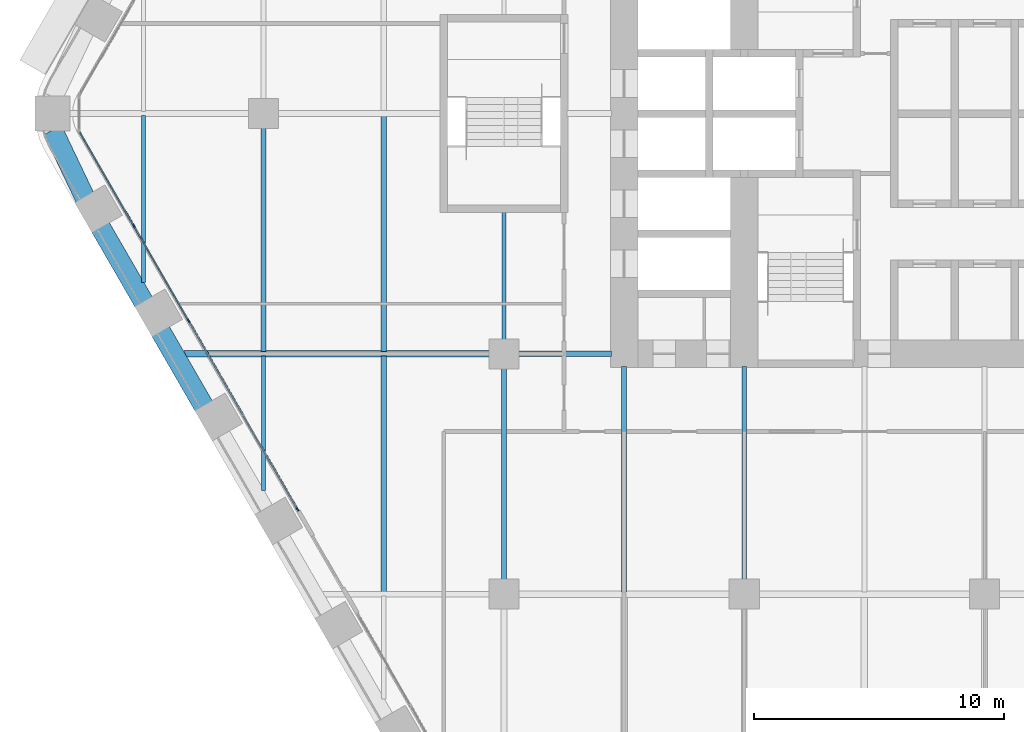
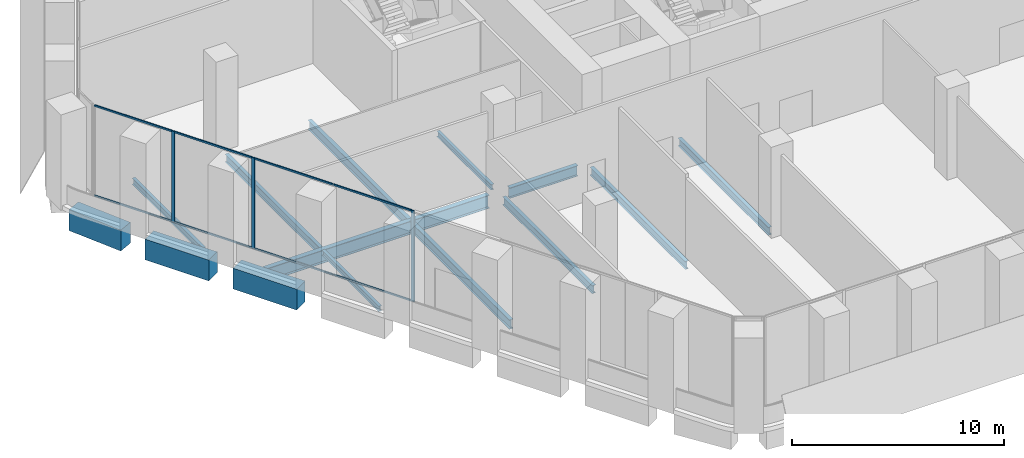
# One storey, part 3 of 27: 14 beams, 11 members, 1 element without a shape of its own.
"""IFC4 building model written with IfcOpenShell, lengths in metres."""

from ifc_helpers import new_model, si_unit, direction, frame, origin, origin_2d, place, context, subcontext, project, spatial, rectangle, i_section, extrude, material, material_profile, profile_set, type_object, element, aggregate, save


model = new_model("IFC4")

# Units and contexts
model_context = context("Model", 3, precision=1e-05, world=origin(), true_north=direction((0.0, 1.0)))
body_context = subcontext(model_context, "Body", "Model", "MODEL_VIEW")
ifc_project = project(units=[si_unit("LENGTHUNIT", "METRE"), si_unit("AREAUNIT", "SQUARE_METRE"), si_unit("VOLUMEUNIT", "CUBIC_METRE"), si_unit("PLANEANGLEUNIT", "RADIAN"), si_unit("MASSUNIT", "GRAM", prefix="KILO")], contexts=[model_context])

# Site, building, storey
site_placement = place(None, origin())
site = spatial("IfcSite", under=ifc_project, at=site_placement, CompositionType="ELEMENT")
building_placement = place(site_placement, origin())
building = spatial("IfcBuilding", under=site, at=building_placement, Name="Kolab Exchange Tower", CompositionType="ELEMENT")
storey_placement = place(building_placement, frame((0.0, 0.0, 27.89990234375)))
storey = spatial("IfcBuildingStorey", under=building, at=storey_placement, Name="L05", CompositionType="ELEMENT", Elevation=27.89990234375)

# Beams
ifc_material_1 = material(Name="Steel S355", Category="steel")
ifc_material_profile_1 = material_profile(ifc_material_1, i_section(OverallWidth=0.1650390625, OverallDepth=0.31005859375, WebThickness=0.005859375, FlangeThickness=0.009765625, at=origin_2d()), Name="W310X39")
ifc_profile_set_1 = profile_set([ifc_material_profile_1], Name="Steel S355")
beam_type_1 = type_object("IfcBeamType", Name="FLOOR BEAM W310X39", PredefinedType="BEAM", material=ifc_profile_set_1)
beam_1_placement = place(storey_placement, frame((-28.800048828125, -15.067626953125, -0.40478515625), z_axis=(0.0, 1.0, 0.0), x_axis=(-1.0, 0.0, 0.0)))
element("IfcBeam", 1, at=beam_1_placement, inside=storey, type_object=beam_type_1, Name="beam/L05/fr/002", PredefinedType="BEAM", context=body_context, shape_type="SweptSolid", body=[
    extrude(i_section(OverallWidth=0.1650390625, OverallDepth=0.31005859375, WebThickness=0.005859375, FlangeThickness=0.009765625, at=origin_2d()), origin(), (0.0, 0.0, 1.0), 5.3740234375),
])
beam_2_placement = place(storey_placement, frame((-19.199951171875, -9.0400390625, -0.40478515625), z_axis=(0.0, 1.0, 0.0), x_axis=(-1.0, 0.0, 0.0)))
element("IfcBeam", 2, at=beam_2_placement, inside=storey, type_object=beam_type_1, Name="beam/L05/fr/014", PredefinedType="BEAM", context=body_context, shape_type="SweptSolid", body=[
    extrude(i_section(OverallWidth=0.1650390625, OverallDepth=0.31005859375, WebThickness=0.005859375, FlangeThickness=0.009765625, at=origin_2d()), origin(), (0.0, 0.0, 1.0), 5.130126953125),
])
ifc_material_profile_2 = material_profile(ifc_material_1, i_section(OverallWidth=0.1708984375, OverallDepth=0.35498046875, WebThickness=0.007080078125, FlangeThickness=0.01171875, at=origin_2d()), Name="W360X51")
ifc_profile_set_2 = profile_set([ifc_material_profile_2], Name="Steel S355")
beam_type_2 = type_object("IfcBeamType", Name="FLOOR BEAM W360X51", PredefinedType="BEAM", material=ifc_profile_set_2)
beam_3_placement = place(storey_placement, frame((-33.60009765625, -6.75390625, -0.427490234375), z_axis=(0.0, 1.0, 0.0), x_axis=(-1.0, 0.0, 0.0)))
element("IfcBeam", 3, at=beam_3_placement, inside=storey, type_object=beam_type_2, Name="beam/L05/fr/000", PredefinedType="BEAM", context=body_context, shape_type="SweptSolid", body=[
    extrude(i_section(OverallWidth=0.1708984375, OverallDepth=0.35498046875, WebThickness=0.007080078125, FlangeThickness=0.01171875, at=origin_2d()), origin(), (0.0, 0.0, 1.0), 6.679931640625),
])
ifc_material_profile_3 = material_profile(ifc_material_1, i_section(OverallWidth=0.18994140625, OverallDepth=0.45703125, WebThickness=0.009033203125, FlangeThickness=0.014404296875, at=origin_2d()), Name="W460X74")
ifc_profile_set_3 = profile_set([ifc_material_profile_3], Name="Steel S355")
beam_type_3 = type_object("IfcBeamType", Name="FLOOR BEAM W460X74", PredefinedType="BEAM", material=ifc_profile_set_3)
beam_4_placement = place(storey_placement, frame((-28.800048828125, -9.506591796875, -0.478515625), z_axis=(0.0, 1.0, 0.0), x_axis=(-1.0, 0.0, 0.0)))
element("IfcBeam", 4, at=beam_4_placement, inside=storey, type_object=beam_type_3, Name="beam/L05/fr/003", PredefinedType="BEAM", context=body_context, shape_type="SweptSolid", body=[
    extrude(i_section(OverallWidth=0.18994140625, OverallDepth=0.45703125, WebThickness=0.009033203125, FlangeThickness=0.014404296875, at=origin_2d()), origin(), (0.0, 0.0, 1.0), 8.946533203125),
])
beam_5_placement = place(storey_placement, frame((-19.199951171875, -18.639892578125, -0.478515625), z_axis=(0.0, 1.0, 0.0), x_axis=(-1.0, 0.0, 0.0)))
element("IfcBeam", 5, at=beam_5_placement, inside=storey, type_object=beam_type_3, Name="beam/L05/fr/013", PredefinedType="BEAM", context=body_context, shape_type="SweptSolid", body=[
    extrude(i_section(OverallWidth=0.18994140625, OverallDepth=0.45703125, WebThickness=0.009033203125, FlangeThickness=0.014404296875, at=origin_2d()), origin(), (0.0, 0.0, 1.0), 8.47998046875),
])
beam_6_placement = place(storey_placement, frame((-14.39990234375, -19.113037109375, -0.478515625), z_axis=(0.0, 1.0, 0.0), x_axis=(-1.0, 0.0, 0.0)))
element("IfcBeam", 6, at=beam_6_placement, inside=storey, type_object=beam_type_3, Name="beam/L05/fr/019", PredefinedType="BEAM", context=body_context, shape_type="SweptSolid", body=[
    extrude(i_section(OverallWidth=0.18994140625, OverallDepth=0.45703125, WebThickness=0.009033203125, FlangeThickness=0.014404296875, at=origin_2d()), origin(), (0.0, 0.0, 1.0), 9.0029296875),
])
beam_7_placement = place(storey_placement, frame((-9.60009765625, -18.639892578125, -0.478515625), z_axis=(0.0, 1.0, 0.0), x_axis=(-1.0, 0.0, 0.0)))
element("IfcBeam", 7, at=beam_7_placement, inside=storey, type_object=beam_type_3, Name="beam/L05/fr/023", PredefinedType="BEAM", context=body_context, shape_type="SweptSolid", body=[
    extrude(i_section(OverallWidth=0.18994140625, OverallDepth=0.45703125, WebThickness=0.009033203125, FlangeThickness=0.014404296875, at=origin_2d()), origin(), (0.0, 0.0, 1.0), 8.52978515625),
])
ifc_material_profile_4 = material_profile(ifc_material_1, i_section(OverallWidth=0.208984375, OverallDepth=0.532958984375, WebThickness=0.01025390625, FlangeThickness=0.015625, at=origin_2d()), Name="W530X92")
ifc_profile_set_4 = profile_set([ifc_material_profile_4], Name="Steel S355")
beam_type_4 = type_object("IfcBeamType", Name="FLOOR BEAM W530X92", PredefinedType="BEAM", material=ifc_profile_set_4)
beam_8_placement = place(storey_placement, frame((-24.0, -19.1259765625, -0.516357421875), z_axis=(0.0, 1.0, 0.0), x_axis=(-1.0, 0.0, 0.0)))
element("IfcBeam", 8, at=beam_8_placement, inside=storey, type_object=beam_type_4, Name="beam/L05/fr/007", PredefinedType="BEAM", context=body_context, shape_type="SweptSolid", body=[
    extrude(i_section(OverallWidth=0.208984375, OverallDepth=0.532958984375, WebThickness=0.01025390625, FlangeThickness=0.015625, at=origin_2d()), origin(), (0.0, 0.0, 1.0), 9.432373046875),
])
beam_9_placement = place(storey_placement, frame((-24.0, -9.506591796875, -0.516357421875), z_axis=(0.0, 1.0, 0.0), x_axis=(-1.0, 0.0, 0.0)))
element("IfcBeam", 9, at=beam_9_placement, inside=storey, type_object=beam_type_4, Name="beam/L05/fr/008", PredefinedType="BEAM", context=body_context, shape_type="SweptSolid", body=[
    extrude(i_section(OverallWidth=0.208984375, OverallDepth=0.532958984375, WebThickness=0.01025390625, FlangeThickness=0.015625, at=origin_2d()), origin(), (0.0, 0.0, 1.0), 9.4326171875),
])
ifc_material_profile_5 = material_profile(ifc_material_1, i_section(OverallWidth=0.22802734375, OverallDepth=0.60791015625, WebThickness=0.01123046875, FlangeThickness=0.017333984375, at=origin_2d()), Name="W610X113")
ifc_profile_set_5 = profile_set([ifc_material_profile_5], Name="Steel S355")
beam_type_5 = type_object("IfcBeamType", Name="FLOOR GIRDER W610X113", PredefinedType="BEAM", material=ifc_profile_set_5)
beam_10_placement = place(storey_placement, frame((-18.639892578125, -9.60009765625, -0.553955078125), z_axis=(1.0, 0.0, 0.0), x_axis=(0.0, 1.0, 0.0)))
element("IfcBeam", 10, at=beam_10_placement, inside=storey, type_object=beam_type_5, Name="beam/L05/gd/007", PredefinedType="BEAM", context=body_context, shape_type="SweptSolid", body=[
    extrude(i_section(OverallWidth=0.22802734375, OverallDepth=0.60791015625, WebThickness=0.01123046875, FlangeThickness=0.017333984375, at=origin_2d()), origin(), (0.0, 0.0, 1.0), 3.72998046875),
])
ifc_material_profile_6 = material_profile(ifc_material_1, i_section(OverallWidth=0.26708984375, OverallDepth=0.761962890625, WebThickness=0.014404296875, FlangeThickness=0.021484375, at=origin_2d()), Name="W760X173")
ifc_profile_set_6 = profile_set([ifc_material_profile_6], Name="Steel S355")
beam_type_6 = type_object("IfcBeamType", Name="FLOOR GIRDER W760X173", PredefinedType="BEAM", material=ifc_profile_set_6)
beam_11_placement = place(storey_placement, frame((-31.9736328125, -9.60009765625, -0.630859375), z_axis=(1.0, 0.0, 0.0), x_axis=(0.0, 1.0, 0.0)))
element("IfcBeam", 11, at=beam_11_placement, inside=storey, type_object=beam_type_6, Name="beam/L05/gd/001", PredefinedType="BEAM", context=body_context, shape_type="SweptSolid", body=[
    extrude(i_section(OverallWidth=0.26708984375, OverallDepth=0.761962890625, WebThickness=0.014404296875, FlangeThickness=0.021484375, at=origin_2d()), origin(), (0.0, 0.0, 1.0), 12.213623046875),
])
ifc_material_2 = material(Name="Concrete C80/95", Category="concrete")
ifc_material_profile_7 = material_profile(ifc_material_2, rectangle(XDim=0.800048828125, YDim=1.199951171875, at=origin_2d()), Name="RC800X1200")
ifc_profile_set_7 = profile_set([ifc_material_profile_7], Name="Concrete C80/95")
beam_type_7 = type_object("IfcBeamType", Name="SPANDREL BEAM 800X1200 C80/95", PredefinedType="BEAM", material=ifc_profile_set_7)
beam_12_placement = place(storey_placement, frame((-31.18359375, -11.69921875, -0.849853515625), z_axis=(-0.499979528911, 0.866037222451, 0.0), x_axis=(-0.866037222451, -0.499979528911, 0.0)))
element("IfcBeam", 12, at=beam_12_placement, inside=storey, type_object=beam_type_7, Name="beam/L05/sp/F5-06", PredefinedType="BEAM", context=body_context, shape_type="SweptSolid", body=[
    extrude(rectangle(XDim=0.800048828125, YDim=1.199951171875, at=origin_2d()), origin(), (0.0, 0.0, 1.0), 3.480224609375),
])
beam_13_placement = place(storey_placement, frame((-33.58349609375, -7.542236328125, -0.849853515625), z_axis=(-0.500009906705, 0.86601968407, 0.0), x_axis=(-0.86601968407, -0.500009906705, 0.0)))
element("IfcBeam", 13, at=beam_13_placement, inside=storey, type_object=beam_type_7, Name="beam/L05/sp/F5-07", PredefinedType="BEAM", context=body_context, shape_type="SweptSolid", body=[
    extrude(rectangle(XDim=0.800048828125, YDim=1.199951171875, at=origin_2d()), origin(), (0.0, 0.0, 1.0), 3.47998046875),
])
beam_14_placement = place(storey_placement, frame((-35.93798828125, -3.35888671875, -0.849853515625), z_axis=(-0.429555669245, 0.903040379507, 0.0), x_axis=(-0.903040379507, -0.429555669245, 0.0)))
element("IfcBeam", 14, at=beam_14_placement, inside=storey, type_object=beam_type_7, Name="beam/L05/sp/F5-08", PredefinedType="BEAM", context=body_context, shape_type="SweptSolid", body=[
    extrude(rectangle(XDim=0.800048828125, YDim=1.199951171875, at=origin_2d()), origin(), (0.0, 0.0, 1.0), 2.984375),
])

# Curtain wall, members
ifc_material_3 = material(Name="Aluminium EN AW-6063 T6", Category="aluminium")
curtain_wall_type = type_object("IfcCurtainWallType", Name="UNITISED LOW ZONE CURTAIN WALL", PredefinedType="NOTDEFINED", material=ifc_material_3)
curtain_wall_placement = place(storey_placement, origin())
curtain_wall = element("IfcCurtainWall", 15, at=curtain_wall_placement, inside=storey, type_object=curtain_wall_type, Name="cw/L05/F5-2", PredefinedType="NOTDEFINED")
ifc_material_profile_8 = material_profile(ifc_material_3, rectangle(XDim=0.06005859375, YDim=0.159912109375, at=origin_2d()), Name="RECT 60X160")
ifc_profile_set_8 = profile_set([ifc_material_profile_8], Name="Aluminium EN AW-6063 T6")
member_type_1 = type_object("IfcMemberType", Name="UNITISED LOW ZONE MULLION 60 X 160", PredefinedType="MULLION", material=ifc_profile_set_8)
member_1_placement = place(storey_placement, frame((-27.44677734375, -15.811767578125, 0.0), z_axis=(0.0, 0.0, 1.0), x_axis=(-0.866025422102, -0.499999968274, 0.0)))
member_1 = element("IfcMember", 16, at=member_1_placement, type_object=member_type_1, Name="CW1 mullion 1", PredefinedType="MULLION", context=body_context, shape_type="SweptSolid", body=[
    extrude(rectangle(XDim=0.06005859375, YDim=0.159912109375, at=origin_2d()), origin(), (0.0, 0.0, 1.0), 5.25),
])
member_2_placement = place(storey_placement, frame((-31.798583984375, -8.27392578125, 0.0), z_axis=(0.0, 0.0, 1.0), x_axis=(-0.866025422102, -0.499999968274, 0.0)))
member_2 = element("IfcMember", 17, at=member_2_placement, type_object=member_type_1, Name="CW1 mullion 3", PredefinedType="MULLION", context=body_context, shape_type="SweptSolid", body=[
    extrude(rectangle(XDim=0.06005859375, YDim=0.159912109375, at=origin_2d()), origin(), (0.0, 0.0, 1.0), 5.25),
])
member_3_placement = place(storey_placement, frame((-33.982177734375, -4.491943359375, 0.0), z_axis=(0.0, 0.0, 1.0), x_axis=(-0.866025422102, -0.499999968274, 0.0)))
member_3 = element("IfcMember", 18, at=member_3_placement, type_object=member_type_1, Name="CW1 mullion 4", PredefinedType="MULLION", context=body_context, shape_type="SweptSolid", body=[
    extrude(rectangle(XDim=0.06005859375, YDim=0.159912109375, at=origin_2d()), origin(), (0.0, 0.0, 1.0), 5.25),
])
ifc_material_profile_9 = material_profile(ifc_material_3, rectangle(XDim=0.06005859375, YDim=0.10009765625, at=origin_2d()), Name="RECT 60X100")
ifc_profile_set_9 = profile_set([ifc_material_profile_9], Name="Aluminium EN AW-6063 T6")
member_type_2 = type_object("IfcMemberType", Name="UNITISED LOW ZONE TRANSOM 60 X 100", PredefinedType="USERDEFINED", material=ifc_profile_set_9)
member_4_placement = place(storey_placement, frame((-27.461669921875, -15.78564453125, 0.030029296875), z_axis=(-0.500000816281, 0.866024932504, 0.0), x_axis=(-0.866024932504, -0.500000816281, 0.0)))
member_4 = element("IfcMember", 19, at=member_4_placement, type_object=member_type_2, Name="CW1 transom 1.1", ObjectType="TRANSOM", PredefinedType="USERDEFINED", context=body_context, shape_type="SweptSolid", body=[
    extrude(rectangle(XDim=0.06005859375, YDim=0.10009765625, at=origin_2d()), origin(), (0.0, 0.0, 1.0), 4.27685546875),
])
member_5_placement = place(storey_placement, frame((-27.461669921875, -15.78564453125, 5.22021484375), z_axis=(-0.500000816281, 0.866024932504, 0.0), x_axis=(-0.866024932504, -0.500000816281, 0.0)))
member_5 = element("IfcMember", 20, at=member_5_placement, type_object=member_type_2, Name="CW1 transom 1.2", ObjectType="TRANSOM", PredefinedType="USERDEFINED", context=body_context, shape_type="SweptSolid", body=[
    extrude(rectangle(XDim=0.06005859375, YDim=0.10009765625, at=origin_2d()), origin(), (0.0, 0.0, 1.0), 4.27685546875),
])
member_6_placement = place(storey_placement, frame((-29.630126953125, -12.02978515625, 0.030029296875), z_axis=(-0.500010313095, 0.866019449435, 0.0), x_axis=(-0.866019449435, -0.500010313095, 0.0)))
member_6 = element("IfcMember", 21, at=member_6_placement, type_object=member_type_2, Name="CW1 transom 2.1", ObjectType="TRANSOM", PredefinedType="USERDEFINED", context=body_context, shape_type="SweptSolid", body=[
    extrude(rectangle(XDim=0.06005859375, YDim=0.10009765625, at=origin_2d()), origin(), (0.0, 0.0, 1.0), 4.30712890625),
])
member_7_placement = place(storey_placement, frame((-29.630126953125, -12.02978515625, 5.22021484375), z_axis=(-0.500010313095, 0.866019449435, 0.0), x_axis=(-0.866019449435, -0.500010313095, 0.0)))
member_7 = element("IfcMember", 22, at=member_7_placement, type_object=member_type_2, Name="CW1 transom 2.2", ObjectType="TRANSOM", PredefinedType="USERDEFINED", context=body_context, shape_type="SweptSolid", body=[
    extrude(rectangle(XDim=0.06005859375, YDim=0.10009765625, at=origin_2d()), origin(), (0.0, 0.0, 1.0), 4.30712890625),
])
member_8_placement = place(storey_placement, frame((-31.813720703125, -8.247802734375, 0.030029296875), z_axis=(-0.499967798808, 0.866043994353, 0.0), x_axis=(-0.866043994353, -0.499967798808, 0.0)))
member_8 = element("IfcMember", 23, at=member_8_placement, type_object=member_type_2, Name="CW1 transom 3.1", ObjectType="TRANSOM", PredefinedType="USERDEFINED", context=body_context, shape_type="SweptSolid", body=[
    extrude(rectangle(XDim=0.06005859375, YDim=0.10009765625, at=origin_2d()), origin(), (0.0, 0.0, 1.0), 4.306884765625),
])
member_9_placement = place(storey_placement, frame((-31.813720703125, -8.247802734375, 5.22021484375), z_axis=(-0.499967798808, 0.866043994353, 0.0), x_axis=(-0.866043994353, -0.499967798808, 0.0)))
member_9 = element("IfcMember", 24, at=member_9_placement, type_object=member_type_2, Name="CW1 transom 3.2", ObjectType="TRANSOM", PredefinedType="USERDEFINED", context=body_context, shape_type="SweptSolid", body=[
    extrude(rectangle(XDim=0.06005859375, YDim=0.10009765625, at=origin_2d()), origin(), (0.0, 0.0, 1.0), 4.306884765625),
])
member_10_placement = place(storey_placement, frame((-33.9970703125, -4.4658203125, 0.030029296875), z_axis=(-0.500043627578, 0.866000213925, 0.0), x_axis=(-0.866000213925, -0.500043627578, 0.0)))
member_10 = element("IfcMember", 25, at=member_10_placement, type_object=member_type_2, Name="CW1 transom 4.1", ObjectType="TRANSOM", PredefinedType="USERDEFINED", context=body_context, shape_type="SweptSolid", body=[
    extrude(rectangle(XDim=0.06005859375, YDim=0.10009765625, at=origin_2d()), origin(), (0.0, 0.0, 1.0), 4.27685546875),
])
member_11_placement = place(storey_placement, frame((-33.9970703125, -4.4658203125, 5.22021484375), z_axis=(-0.500043627578, 0.866000213925, 0.0), x_axis=(-0.866000213925, -0.500043627578, 0.0)))
member_11 = element("IfcMember", 26, at=member_11_placement, type_object=member_type_2, Name="CW1 transom 4.2", ObjectType="TRANSOM", PredefinedType="USERDEFINED", context=body_context, shape_type="SweptSolid", body=[
    extrude(rectangle(XDim=0.06005859375, YDim=0.10009765625, at=origin_2d()), origin(), (0.0, 0.0, 1.0), 4.27685546875),
])
aggregate(curtain_wall, [member_1, member_2, member_3, member_4, member_5, member_6, member_7, member_8, member_9, member_10, member_11])

save(model, "model.ifc")
